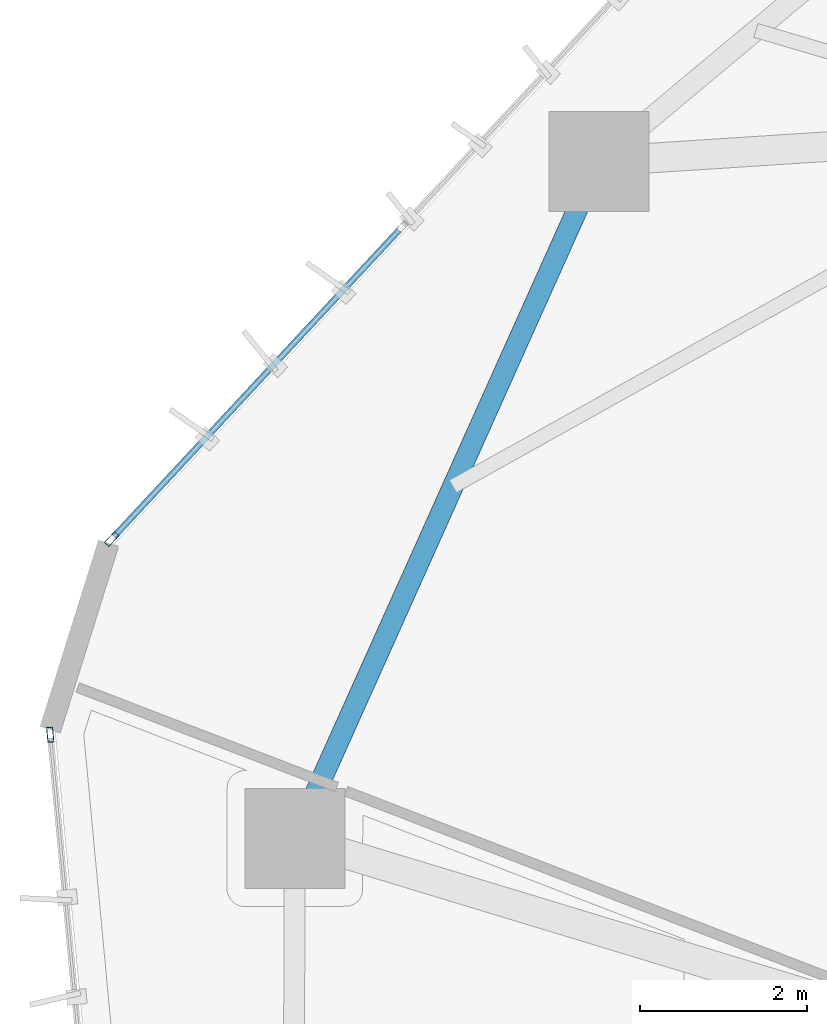
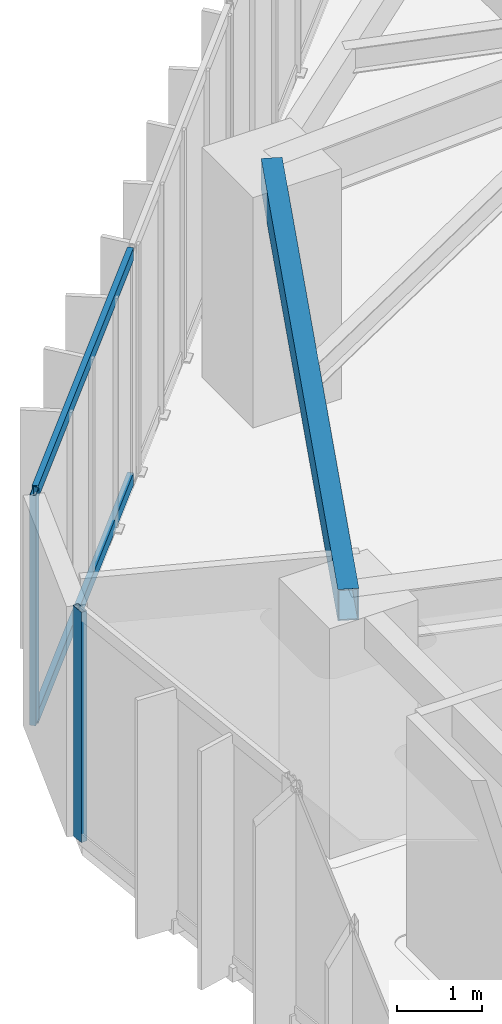
# One storey, part 9 of 23: 4 members, 1 beam, 2 elements without a shape of their own.
"""IFC4 building model written with IfcOpenShell, lengths in metres."""

from ifc_helpers import new_model, si_unit, direction, frame, origin, origin_2d, place, context, subcontext, project, spatial, hollow_rectangle, extrude, source, transform, mapped, material, layer, layer_set, material_profile, profile_set, type_object, type_shapes, element, aggregate, save


model = new_model("IFC4")

# Units and contexts
model_context = context("Model", 3, precision=1e-05, world=origin(), true_north=direction((0.0, 1.0)))
body_context = subcontext(model_context, "Body", "Model", "MODEL_VIEW")
ifc_project = project(units=[si_unit("LENGTHUNIT", "METRE"), si_unit("AREAUNIT", "SQUARE_METRE"), si_unit("VOLUMEUNIT", "CUBIC_METRE"), si_unit("PLANEANGLEUNIT", "RADIAN"), si_unit("MASSUNIT", "GRAM", prefix="KILO")], contexts=[model_context])

# Site, building, storey
site_placement = place(None, origin())
site = spatial("IfcSite", under=ifc_project, at=site_placement, CompositionType="ELEMENT")
building_placement = place(site_placement, origin())
building = spatial("IfcBuilding", under=site, at=building_placement, Name="Talar Marvaseh", CompositionType="ELEMENT")
storey_placement = place(building_placement, frame((0.0, 0.0, 100.199951171875)))
storey = spatial("IfcBuildingStorey", under=building, at=storey_placement, Name="L25", CompositionType="ELEMENT", Elevation=100.199951171875)

# Beam
ifc_material_1 = material(Name="Steel S355", Category="steel")
ifc_material_profile_1 = material_profile(ifc_material_1, hollow_rectangle(XDim=0.25, YDim=0.449951171875, WallThickness=0.01611328125, at=origin_2d()), Name="RHS450x250x16")
ifc_profile_set_1 = profile_set([ifc_material_profile_1], Name="Steel S355")
beam_type = type_object("IfcBeamType", Name="Zone 2 Perimeter Spandrel Beam RHS450x250x16", PredefinedType="SPANDREL", material=ifc_profile_set_1)
beam_placement = place(storey_placement, frame((9.137939453125, 28.402099609375, 3.0849609375), z_axis=(0.409461733275, 0.912327292688, 0.0), x_axis=(-0.912327292688, 0.409461733275, 0.0)))
element("IfcBeam", 1, at=beam_placement, inside=storey, type_object=beam_type, Name="L25 Zone 2 Perimeter Spandrel Beam RHS450x250x16", PredefinedType="SPANDREL", context=body_context, shape_type="SweptSolid", body=[
    extrude(hollow_rectangle(XDim=0.25, YDim=0.449951171875, WallThickness=0.01611328125, at=origin_2d()), origin(), (0.0, 0.0, 1.0), 8.894775390625),
])

# Curtain wall, member
ifc_material_2 = material(Name="Architectural Aluminium", Category="aluminium")
ifc_layer = layer(ifc_material_2, 0.199951171875)
ifc_layer_set = layer_set([ifc_layer], Name="Architectural Aluminium")
curtain_wall_type = type_object("IfcCurtainWallType", Name="Unitised Acoustic Library Curtain Wall Z2", PredefinedType="NOTDEFINED", material=ifc_layer_set)
curtain_wall_1_placement = place(storey_placement, origin())
curtain_wall_1 = element("IfcCurtainWall", 2, at=curtain_wall_1_placement, inside=storey, type_object=curtain_wall_type, Name="L25 Unitised Acoustic Library Curtain Wall Z2", PredefinedType="NOTDEFINED")
ifc_material_profile_2 = material_profile(ifc_material_2, hollow_rectangle(XDim=0.074951171875, YDim=0.179931640625, WallThickness=0.0048828125, at=origin_2d()), Name="RHS180x75x5")
ifc_profile_set_2 = profile_set([ifc_material_profile_2], Name="Architectural Aluminium")
member_type_1 = type_object("IfcMemberType", Name="Unitised Curtain Wall Standard Mullion RHS180x75x5", PredefinedType="MULLION", material=ifc_profile_set_2)
shared_shape_1 = source(origin(), body_context, "Body", "SweptSolid", [
    extrude(hollow_rectangle(XDim=0.074951171875, YDim=0.179931640625, WallThickness=0.0048828125, at=origin_2d()), origin(), (0.0, 0.0, 1.0), 3.31005859375),
])
type_shapes(member_type_1, [shared_shape_1])
member_1_placement = place(storey_placement, frame((6.206298828125, 29.646728515625, 0.0), z_axis=(0.0, 0.0, 1.0), x_axis=(-0.995649888657, -0.093173489885, 0.0)))
member_1 = element("IfcMember", 3, at=member_1_placement, type_object=member_type_1, Name="CW-Z2 mullion 5", PredefinedType="MULLION", context=body_context, shape_type="MappedRepresentation", body=[
    mapped(shared_shape_1, transform((0.0, 0.0, 0.0), x_axis=(1.0, 0.0, 0.0), y_axis=(0.0, 1.0, 0.0), z_axis=(0.0, 0.0, 1.0), scale=1.0)),
])
aggregate(curtain_wall_1, [member_1])

# Curtain wall, members
curtain_wall_2_placement = place(storey_placement, origin())
curtain_wall_2 = element("IfcCurtainWall", 4, at=curtain_wall_2_placement, inside=storey, type_object=curtain_wall_type, Name="L25 Unitised Acoustic Library Curtain Wall Z2", PredefinedType="NOTDEFINED")
member_2_placement = place(storey_placement, frame((6.943359375, 31.991943359375, 0.0), z_axis=(0.0, 0.0, 1.0), x_axis=(-0.732159533567, 0.681133186247, 0.0)))
member_2 = element("IfcMember", 5, at=member_2_placement, type_object=member_type_1, Name="CW-Z2 mullion 1", PredefinedType="MULLION", context=body_context, shape_type="MappedRepresentation", body=[
    mapped(shared_shape_1, transform((0.0, 0.0, 0.0), x_axis=(1.0, 0.0, 0.0), y_axis=(0.0, 1.0, 0.0), z_axis=(0.0, 0.0, 1.0), scale=1.0)),
])
ifc_material_profile_3 = material_profile(ifc_material_2, hollow_rectangle(XDim=0.074951171875, YDim=0.179931640625, WallThickness=0.0048828125, at=origin_2d()), Name="RHS180x75x5")
ifc_profile_set_3 = profile_set([ifc_material_profile_3], Name="Architectural Aluminium")
member_type_2 = type_object("IfcMemberType", Name="Unitised Curtain Wall Transom RHS180x75x5", PredefinedType="USERDEFINED", material=ifc_profile_set_3)
shared_shape_2 = source(origin(), body_context, "Body", "SweptSolid", [
    extrude(hollow_rectangle(XDim=0.074951171875, YDim=0.179931640625, WallThickness=0.0048828125, at=origin_2d()), origin(), (0.0, 0.0, 1.0), 5.017578125),
])
type_shapes(member_type_2, [shared_shape_2])
member_3_placement = place(storey_placement, frame((6.96875, 32.01953125, 0.03759765625), z_axis=(0.681150651337, 0.732143285282, 0.0), x_axis=(-0.732143285282, 0.681150651337, 0.0)))
member_3 = element("IfcMember", 6, at=member_3_placement, type_object=member_type_2, Name="CW-Z2 transom 1.1", ObjectType="TRANSOM", PredefinedType="USERDEFINED", context=body_context, shape_type="MappedRepresentation", body=[
    mapped(shared_shape_2, transform((0.0, 0.0, 0.0), x_axis=(1.0, 0.0, 0.0), y_axis=(0.0, 1.0, 0.0), z_axis=(0.0, 0.0, 1.0), scale=1.0)),
])
member_4_placement = place(storey_placement, frame((6.96875, 32.01953125, 3.2724609375), z_axis=(0.681150651337, 0.732143285282, 0.0), x_axis=(-0.732143285282, 0.681150651337, 0.0)))
member_4 = element("IfcMember", 7, at=member_4_placement, type_object=member_type_2, Name="CW-Z2 transom 1.2", ObjectType="TRANSOM", PredefinedType="USERDEFINED", context=body_context, shape_type="MappedRepresentation", body=[
    mapped(shared_shape_2, transform((0.0, 0.0, 0.0), x_axis=(1.0, 0.0, 0.0), y_axis=(0.0, 1.0, 0.0), z_axis=(0.0, 0.0, 1.0), scale=1.0)),
])
aggregate(curtain_wall_2, [member_2, member_3, member_4])

save(model, "model.ifc")
